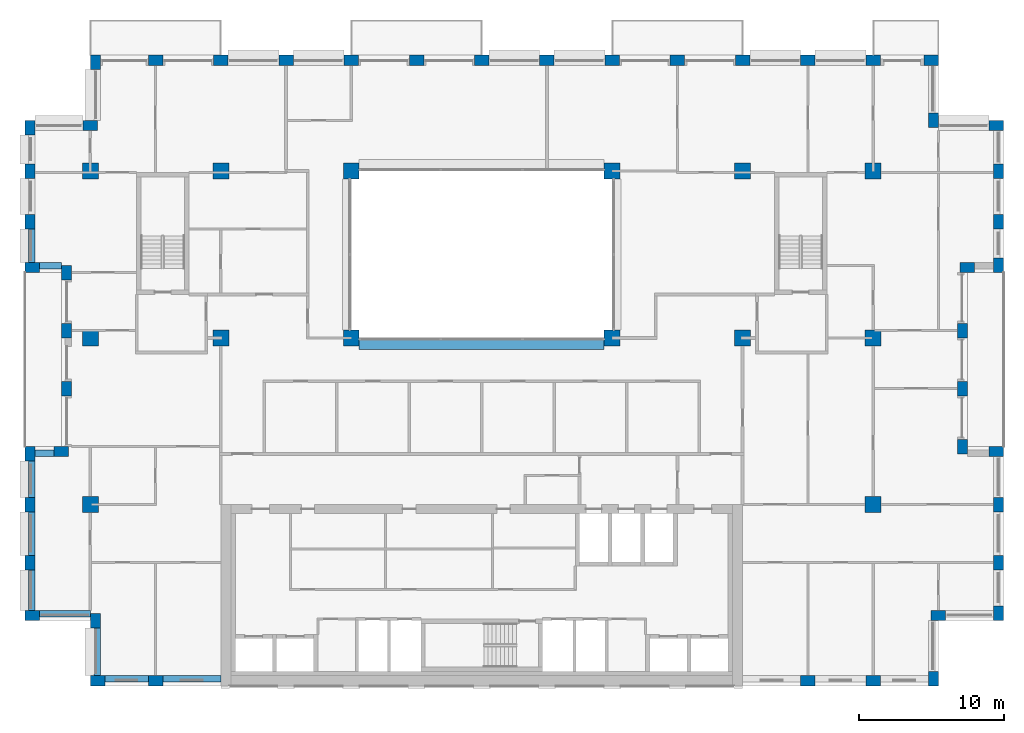
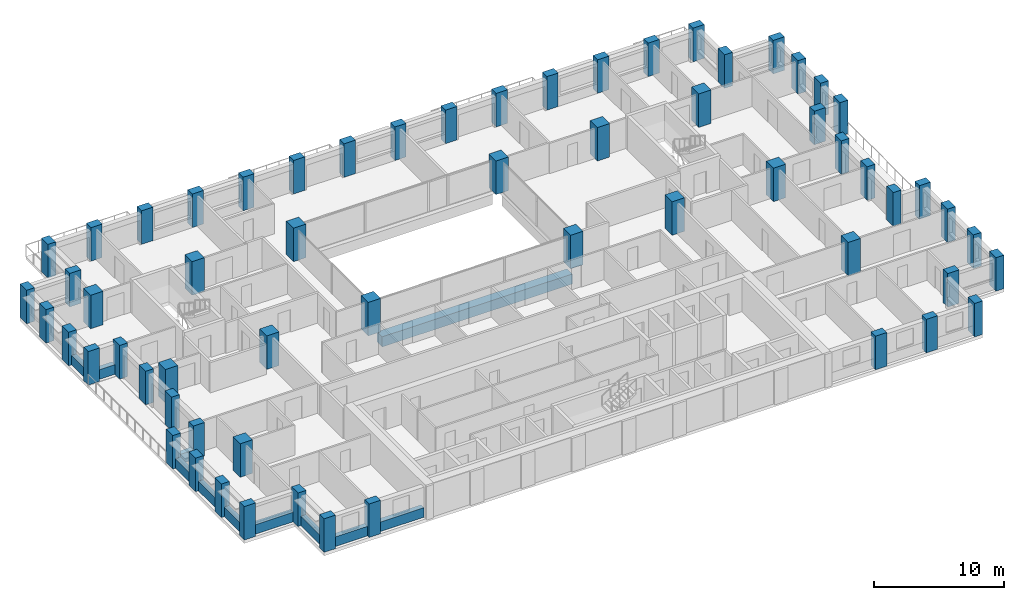
# One storey, part 1 of 16: 61 columns, 11 beams.
"""IFC4 building model written with IfcOpenShell, lengths in metres."""

from ifc_helpers import new_model, si_unit, direction, frame, origin, origin_2d, place, context, subcontext, project, spatial, rectangle, extrude, material, material_profile, profile_set, type_object, element, save


model = new_model("IFC4")

# Units and contexts
model_context = context("Model", 3, precision=1e-05, world=origin(), true_north=direction((0.0, 1.0)))
body_context = subcontext(model_context, "Body", "Model", "MODEL_VIEW")
ifc_project = project(units=[si_unit("LENGTHUNIT", "METRE"), si_unit("AREAUNIT", "SQUARE_METRE"), si_unit("VOLUMEUNIT", "CUBIC_METRE"), si_unit("PLANEANGLEUNIT", "RADIAN"), si_unit("MASSUNIT", "GRAM", prefix="KILO")], contexts=[model_context])

# Site, building, storey
site_placement = place(None, origin())
site = spatial("IfcSite", under=ifc_project, at=site_placement, CompositionType="ELEMENT")
building_placement = place(site_placement, origin())
building = spatial("IfcBuilding", under=site, at=building_placement, Name="Brigalow Station Residences", CompositionType="ELEMENT")
storey_placement = place(building_placement, frame((0.0, 0.0, 179.10009765625)))
storey = spatial("IfcBuildingStorey", under=building, at=storey_placement, Name="L52", CompositionType="ELEMENT", Elevation=179.10009765625)

# Columns
ifc_material_1 = material(Name="Concrete C65", Category="concrete")
ifc_material_profile_1 = material_profile(ifc_material_1, rectangle(XDim=1.10009765625, YDim=1.10009765625, at=origin_2d()), Name="RC1100x1100")
ifc_profile_set_1 = profile_set([ifc_material_profile_1], Name="Concrete C65")
column_type_1 = type_object("IfcColumnType", Name="COLUMN 1100x1100 C65", PredefinedType="COLUMN", material=ifc_profile_set_1)
for number, where, z_axis, x_axis, name in (
    (1, (9.0, 24.0, 0.0), (0.0, 0.0, 1.0), (1.0, 0.0, 0.0), "COLUMN C1 L52"),
    (2, (18.0, 24.0, 0.0), (0.0, 0.0, 1.0), (1.0, 0.0, 0.0), "COLUMN C2 L52"),
    (3, (27.0, 24.0, 0.0), (0.0, 0.0, 1.0), (1.0, 0.0, 0.0), "COLUMN C3 L52"),
    (4, (45.0, 24.0, 0.0), (0.0, 0.0, 1.0), (1.0, 0.0, 0.0), "COLUMN C5 L52"),
    (5, (54.0, 24.0, 0.0), (0.0, 0.0, 1.0), (1.0, 0.0, 0.0), "COLUMN C6 L52"),
    (6, (63.0, 24.0, 0.0), (0.0, 0.0, 1.0), (1.0, 0.0, 0.0), "COLUMN C7 L52"),
    (7, (9.0, 35.5, 0.0), (0.0, 0.0, 1.0), (1.0, 0.0, 0.0), "COLUMN D1 L52"),
    (8, (18.0, 35.5, 0.0), (0.0, 0.0, 1.0), (1.0, 0.0, 0.0), "COLUMN D2 L52"),
    (9, (27.0, 35.5, 0.0), (0.0, 0.0, 1.0), (1.0, 0.0, 0.0), "COLUMN D3 L52"),
    (10, (45.0, 35.5, 0.0), (0.0, 0.0, 1.0), (1.0, 0.0, 0.0), "COLUMN D5 L52"),
    (11, (54.0, 35.5, 0.0), (0.0, 0.0, 1.0), (1.0, 0.0, 0.0), "COLUMN D6 L52"),
    (12, (63.0, 35.5, 0.0), (0.0, 0.0, 1.0), (1.0, 0.0, 0.0), "COLUMN D7 L52"),
    (13, (9.0, 12.5, 0.0), (0.0, 0.0, 1.0), (1.0, 0.0, 0.0), "COLUMN B1 L52"),
    (14, (63.0, 12.5, 0.0), (0.0, 0.0, 1.0), (1.0, 0.0, 0.0), "COLUMN B7 L52"),
):
    element("IfcColumn", number, at=place(storey_placement, frame(where, z_axis=z_axis, x_axis=x_axis)), inside=storey, type_object=column_type_1, Name=name, PredefinedType="COLUMN", context=body_context, shape_type="SweptSolid", body=[
        extrude(rectangle(XDim=1.10009765625, YDim=1.10009765625, at=origin_2d()), origin(), (0.0, 0.0, 1.0), 3.14990234375),
    ])
ifc_material_2 = material(Name="Concrete C65", Category="concrete")
ifc_material_profile_2 = material_profile(ifc_material_2, rectangle(XDim=1.0, YDim=0.699951171875, at=origin_2d()), Name="RC1000x700")
ifc_profile_set_2 = profile_set([ifc_material_profile_2], Name="Concrete C65")
column_type_2 = type_object("IfcColumnType", Name="PIER 1000x700 C65", PredefinedType="USERDEFINED", material=ifc_profile_set_2)
for number, where, z_axis, x_axis, name in (
    (15, (9.5, 0.35009765625, 0.0), (0.0, 0.0, 1.0), (1.0, 0.0, 0.0), "PIER S-1 L52"),
    (16, (13.5, 0.35009765625, 0.0), (0.0, 0.0, 1.0), (1.0, 0.0, 0.0), "PIER S-2 L52"),
    (17, (58.5, 0.35009765625, 0.0), (0.0, 0.0, 1.0), (1.0, 0.0, 0.0), "PIER S-12 L52"),
    (18, (63.0, 0.35009765625, 0.0), (0.0, 0.0, 1.0), (1.0, 0.0, 0.0), "PIER S-13 L52"),
    (19, (67.14990234375, 0.5, 0.0), (0.0, 0.0, 1.0), (0.0, 1.0, 0.0), "PIER SE1-1 L52"),
    (20, (67.5, 4.85009765625, 0.0), (0.0, 0.0, 1.0), (1.0, 0.0, 0.0), "PIER SE2-1 L52"),
    (21, (71.64990234375, 5.0, 0.0), (0.0, 0.0, 1.0), (0.0, 1.0, 0.0), "PIER E1-1 L52"),
    (22, (71.64990234375, 8.5, 0.0), (0.0, 0.0, 1.0), (0.0, 1.0, 0.0), "PIER E1-2 L52"),
    (23, (71.64990234375, 12.5, 0.0), (0.0, 0.0, 1.0), (0.0, 1.0, 0.0), "PIER E1-3 L52"),
    (24, (71.5, 16.14990234375, 0.0), (0.0, 0.0, 1.0), (-1.0, 0.0, 0.0), "PIER EL1-1 L52"),
    (25, (69.14990234375, 16.5, 0.0), (0.0, 0.0, 1.0), (0.0, 1.0, 0.0), "PIER EL2-1 L52"),
    (26, (69.14990234375, 20.5, 0.0), (0.0, 0.0, 1.0), (0.0, 1.0, 0.0), "PIER EL2-2 L52"),
    (27, (69.14990234375, 24.5, 0.0), (0.0, 0.0, 1.0), (0.0, 1.0, 0.0), "PIER EL2-3 L52"),
    (28, (69.5, 28.85009765625, 0.0), (0.0, 0.0, 1.0), (1.0, 0.0, 0.0), "PIER EL3-1 L52"),
    (29, (71.64990234375, 29.0, 0.0), (0.0, 0.0, 1.0), (0.0, 1.0, 0.0), "PIER E2-1 L52"),
    (30, (71.64990234375, 32.0, 0.0), (0.0, 0.0, 1.0), (0.0, 1.0, 0.0), "PIER E2-2 L52"),
    (31, (71.64990234375, 35.5, 0.0), (0.0, 0.0, 1.0), (0.0, 1.0, 0.0), "PIER E2-3 L52"),
    (32, (71.5, 38.64990234375, 0.0), (0.0, 0.0, 1.0), (-1.0, 0.0, 0.0), "PIER NE1-1 L52"),
    (33, (67.14990234375, 39.0, 0.0), (0.0, 0.0, 1.0), (0.0, 1.0, 0.0), "PIER NE2-1 L52"),
    (34, (67.0, 43.14990234375, 0.0), (0.0, 0.0, 1.0), (-1.0, 0.0, 0.0), "PIER N-1 L52"),
    (35, (63.0, 43.14990234375, 0.0), (0.0, 0.0, 1.0), (-1.0, 0.0, 0.0), "PIER N-2 L52"),
    (36, (58.5, 43.14990234375, 0.0), (0.0, 0.0, 1.0), (-1.0, 0.0, 0.0), "PIER N-3 L52"),
    (37, (54.0, 43.14990234375, 0.0), (0.0, 0.0, 1.0), (-1.0, 0.0, 0.0), "PIER N-4 L52"),
    (38, (49.5, 43.14990234375, 0.0), (0.0, 0.0, 1.0), (-1.0, 0.0, 0.0), "PIER N-5 L52"),
    (39, (45.0, 43.14990234375, 0.0), (0.0, 0.0, 1.0), (-1.0, 0.0, 0.0), "PIER N-6 L52"),
    (40, (40.5, 43.14990234375, 0.0), (0.0, 0.0, 1.0), (-1.0, 0.0, 0.0), "PIER N-7 L52"),
    (41, (36.0, 43.14990234375, 0.0), (0.0, 0.0, 1.0), (-1.0, 0.0, 0.0), "PIER N-8 L52"),
    (42, (31.5, 43.14990234375, 0.0), (0.0, 0.0, 1.0), (-1.0, 0.0, 0.0), "PIER N-9 L52"),
    (43, (27.0, 43.14990234375, 0.0), (0.0, 0.0, 1.0), (-1.0, 0.0, 0.0), "PIER N-10 L52"),
    (44, (22.5, 43.14990234375, 0.0), (0.0, 0.0, 1.0), (-1.0, 0.0, 0.0), "PIER N-11 L52"),
    (45, (18.0, 43.14990234375, 0.0), (0.0, 0.0, 1.0), (-1.0, 0.0, 0.0), "PIER N-12 L52"),
    (46, (13.5, 43.14990234375, 0.0), (0.0, 0.0, 1.0), (-1.0, 0.0, 0.0), "PIER N-13 L52"),
    (47, (9.35009765625, 43.0, 0.0), (0.0, 0.0, 1.0), (0.0, -1.0, 0.0), "PIER NW1-1 L52"),
    (48, (9.0, 38.64990234375, 0.0), (0.0, 0.0, 1.0), (-1.0, 0.0, 0.0), "PIER NW2-1 L52"),
    (49, (4.85009765625, 38.5, 0.0), (0.0, 0.0, 1.0), (0.0, -1.0, 0.0), "PIER W2-1 L52"),
    (50, (4.85009765625, 35.5, 0.0), (0.0, 0.0, 1.0), (0.0, -1.0, 0.0), "PIER W2-2 L52"),
    (51, (4.85009765625, 32.0, 0.0), (0.0, 0.0, 1.0), (0.0, -1.0, 0.0), "PIER W2-3 L52"),
    (52, (5.0, 28.85009765625, 0.0), (0.0, 0.0, 1.0), (1.0, 0.0, 0.0), "PIER WL1-1 L52"),
    (53, (7.35009765625, 28.5, 0.0), (0.0, 0.0, 1.0), (0.0, -1.0, 0.0), "PIER WL2-1 L52"),
    (54, (7.35009765625, 24.5, 0.0), (0.0, 0.0, 1.0), (0.0, -1.0, 0.0), "PIER WL2-2 L52"),
    (55, (7.35009765625, 20.5, 0.0), (0.0, 0.0, 1.0), (0.0, -1.0, 0.0), "PIER WL2-3 L52"),
    (56, (7.0, 16.14990234375, 0.0), (0.0, 0.0, 1.0), (-1.0, 0.0, 0.0), "PIER WL3-1 L52"),
    (57, (4.85009765625, 16.0, 0.0), (0.0, 0.0, 1.0), (0.0, -1.0, 0.0), "PIER W1-1 L52"),
    (58, (4.85009765625, 12.5, 0.0), (0.0, 0.0, 1.0), (0.0, -1.0, 0.0), "PIER W1-2 L52"),
    (59, (4.85009765625, 8.5, 0.0), (0.0, 0.0, 1.0), (0.0, -1.0, 0.0), "PIER W1-3 L52"),
    (60, (5.0, 4.85009765625, 0.0), (0.0, 0.0, 1.0), (1.0, 0.0, 0.0), "PIER SW1-1 L52"),
    (61, (9.35009765625, 4.5, 0.0), (0.0, 0.0, 1.0), (0.0, -1.0, 0.0), "PIER SW2-1 L52"),
):
    element("IfcColumn", number, at=place(storey_placement, frame(where, z_axis=z_axis, x_axis=x_axis)), inside=storey, type_object=column_type_2, Name=name, ObjectType="PIER", PredefinedType="USERDEFINED", context=body_context, shape_type="SweptSolid", body=[
        extrude(rectangle(XDim=1.0, YDim=0.699951171875, at=origin_2d()), origin(), (0.0, 0.0, 1.0), 3.14990234375),
    ])

# Beams
ifc_material_3 = material(Name="Concrete C65", Category="concrete")
ifc_material_profile_3 = material_profile(ifc_material_3, rectangle(XDim=0.800048828125, YDim=0.949951171875, at=origin_2d()), Name="RC800x950")
ifc_profile_set_3 = profile_set([ifc_material_profile_3], Name="Concrete C65")
beam_type_1 = type_object("IfcBeamType", Name="ATRIUM EDGE GIRDER OVER 13.5 M SPAN 800x950 C65", PredefinedType="BEAM", material=ifc_profile_set_3)
beam_1_placement = place(storey_placement, frame((27.550048828125, 23.60009765625, -0.795166015625), z_axis=(1.0, 0.0, 0.0), x_axis=(0.0, 1.0, 0.0)))
element("IfcBeam", 62, at=beam_1_placement, inside=storey, type_object=beam_type_1, Name="ATRIUM EDGE GIRDER C L52", PredefinedType="BEAM", context=body_context, shape_type="SweptSolid", body=[
    extrude(rectangle(XDim=0.800048828125, YDim=0.949951171875, at=origin_2d()), origin(), (0.0, 0.0, 1.0), 16.89990234375),
])
ifc_material_4 = material(Name="Concrete C50", Category="concrete")
ifc_material_profile_4 = material_profile(ifc_material_4, rectangle(XDim=0.449951171875, YDim=0.89990234375, at=origin_2d()), Name="RC450x900")
ifc_profile_set_4 = profile_set([ifc_material_profile_4], Name="Concrete C50")
beam_type_2 = type_object("IfcBeamType", Name="SPANDREL BEAM 450x900 C50", PredefinedType="SPANDREL", material=ifc_profile_set_4)
beam_2_placement = place(storey_placement, frame((10.0, 0.47509765625, 0.449951171875), z_axis=(1.0, 0.0, 0.0), x_axis=(0.0, 1.0, 0.0)))
element("IfcBeam", 63, at=beam_2_placement, inside=storey, type_object=beam_type_2, Name="L52/spandrel/W-L52-1", PredefinedType="SPANDREL", context=body_context, shape_type="SweptSolid", body=[
    extrude(rectangle(XDim=0.449951171875, YDim=0.89990234375, at=origin_2d()), origin(), (0.0, 0.0, 1.0), 3.0),
])
beam_3_placement = place(storey_placement, frame((14.0, 0.47509765625, 0.449951171875), z_axis=(1.0, 0.0, 0.0), x_axis=(0.0, 1.0, 0.0)))
element("IfcBeam", 64, at=beam_3_placement, inside=storey, type_object=beam_type_2, Name="L52/spandrel/W-L52-2", PredefinedType="SPANDREL", context=body_context, shape_type="SweptSolid", body=[
    extrude(rectangle(XDim=0.449951171875, YDim=0.89990234375, at=origin_2d()), origin(), (0.0, 0.0, 1.0), 4.0),
])
beam_4_placement = place(storey_placement, frame((4.97509765625, 31.5, 0.449951171875), z_axis=(0.0, -1.0, 0.0), x_axis=(1.0, 0.0, 0.0)))
element("IfcBeam", 65, at=beam_4_placement, inside=storey, type_object=beam_type_2, Name="L52/spandrel/W-L52-39", PredefinedType="SPANDREL", context=body_context, shape_type="SweptSolid", body=[
    extrude(rectangle(XDim=0.449951171875, YDim=0.89990234375, at=origin_2d()), origin(), (0.0, 0.0, 1.0), 2.300048828125),
])
beam_5_placement = place(storey_placement, frame((5.5, 28.97509765625, 0.449951171875), z_axis=(1.0, 0.0, 0.0), x_axis=(0.0, 1.0, 0.0)))
element("IfcBeam", 66, at=beam_5_placement, inside=storey, type_object=beam_type_2, Name="L52/spandrel/W-L52-40", PredefinedType="SPANDREL", context=body_context, shape_type="SweptSolid", body=[
    extrude(rectangle(XDim=0.449951171875, YDim=0.89990234375, at=origin_2d()), origin(), (0.0, 0.0, 1.0), 1.5),
])
beam_6_placement = place(storey_placement, frame((6.5, 16.02490234375, 0.449951171875), z_axis=(-1.0, 0.0, 0.0), x_axis=(0.0, -1.0, 0.0)))
element("IfcBeam", 67, at=beam_6_placement, inside=storey, type_object=beam_type_2, Name="L52/spandrel/W-L52-44", PredefinedType="SPANDREL", context=body_context, shape_type="SweptSolid", body=[
    extrude(rectangle(XDim=0.449951171875, YDim=0.89990234375, at=origin_2d()), origin(), (0.0, 0.0, 1.0), 1.300048828125),
])
beam_7_placement = place(storey_placement, frame((4.97509765625, 15.5, 0.449951171875), z_axis=(0.0, -1.0, 0.0), x_axis=(1.0, 0.0, 0.0)))
element("IfcBeam", 68, at=beam_7_placement, inside=storey, type_object=beam_type_2, Name="L52/spandrel/W-L52-45", PredefinedType="SPANDREL", context=body_context, shape_type="SweptSolid", body=[
    extrude(rectangle(XDim=0.449951171875, YDim=0.89990234375, at=origin_2d()), origin(), (0.0, 0.0, 1.0), 2.5),
])
beam_8_placement = place(storey_placement, frame((4.97509765625, 12.0, 0.449951171875), z_axis=(0.0, -1.0, 0.0), x_axis=(1.0, 0.0, 0.0)))
element("IfcBeam", 69, at=beam_8_placement, inside=storey, type_object=beam_type_2, Name="L52/spandrel/W-L52-46", PredefinedType="SPANDREL", context=body_context, shape_type="SweptSolid", body=[
    extrude(rectangle(XDim=0.449951171875, YDim=0.89990234375, at=origin_2d()), origin(), (0.0, 0.0, 1.0), 3.0),
])
beam_9_placement = place(storey_placement, frame((4.97509765625, 8.0, 0.449951171875), z_axis=(0.0, -1.0, 0.0), x_axis=(1.0, 0.0, 0.0)))
element("IfcBeam", 70, at=beam_9_placement, inside=storey, type_object=beam_type_2, Name="L52/spandrel/W-L52-47", PredefinedType="SPANDREL", context=body_context, shape_type="SweptSolid", body=[
    extrude(rectangle(XDim=0.449951171875, YDim=0.89990234375, at=origin_2d()), origin(), (0.0, 0.0, 1.0), 2.800048828125),
])
beam_10_placement = place(storey_placement, frame((5.5, 4.97509765625, 0.449951171875), z_axis=(1.0, 0.0, 0.0), x_axis=(0.0, 1.0, 0.0)))
element("IfcBeam", 71, at=beam_10_placement, inside=storey, type_object=beam_type_2, Name="L52/spandrel/W-L52-48", PredefinedType="SPANDREL", context=body_context, shape_type="SweptSolid", body=[
    extrude(rectangle(XDim=0.449951171875, YDim=0.89990234375, at=origin_2d()), origin(), (0.0, 0.0, 1.0), 3.5),
])
beam_11_placement = place(storey_placement, frame((9.47509765625, 4.0, 0.449951171875), z_axis=(0.0, -1.0, 0.0), x_axis=(1.0, 0.0, 0.0)))
element("IfcBeam", 72, at=beam_11_placement, inside=storey, type_object=beam_type_2, Name="L52/spandrel/W-L52-49", PredefinedType="SPANDREL", context=body_context, shape_type="SweptSolid", body=[
    extrude(rectangle(XDim=0.449951171875, YDim=0.89990234375, at=origin_2d()), origin(), (0.0, 0.0, 1.0), 3.300048828125),
])

save(model, "model.ifc")
